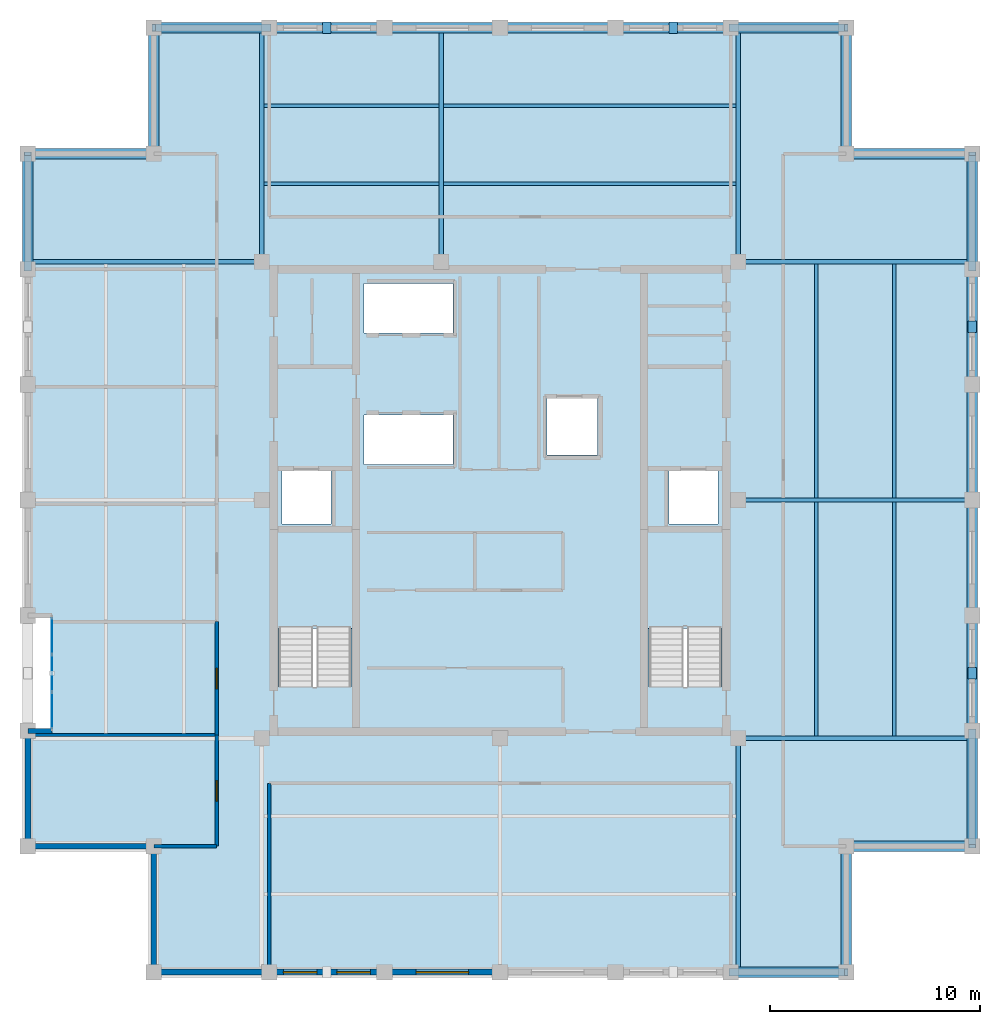
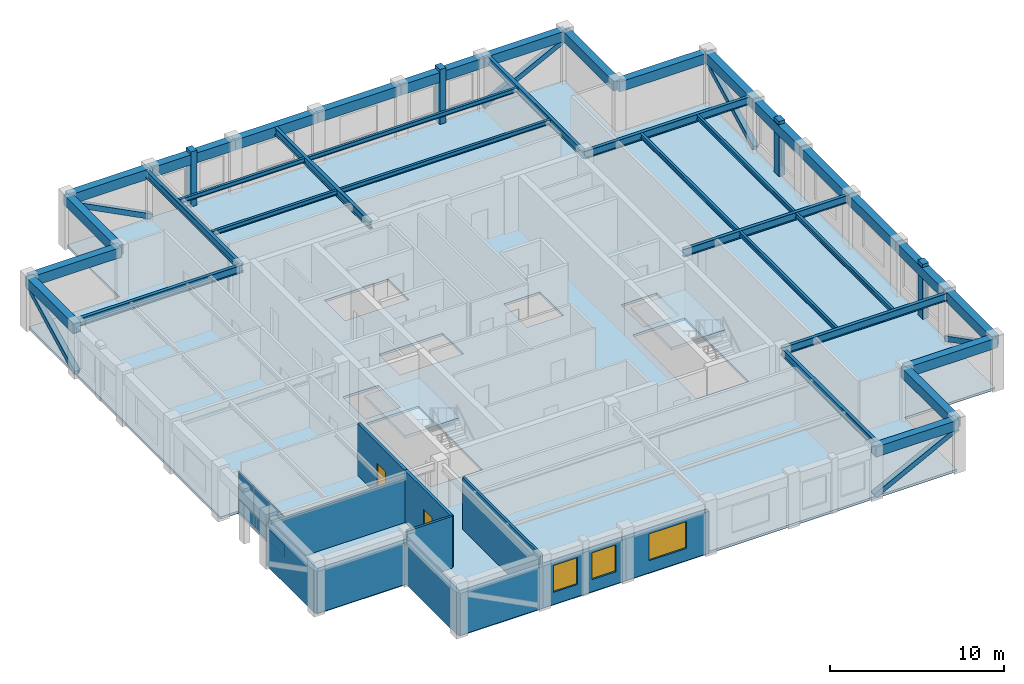
# One storey, part 5 of 10: 36 beams, 12 walls, 10 members, 6 plates, 3 slabs, 3 windows, 2 doors, 5 openings, 3 elements without a shape of their own.
"""IFC4 building model written with IfcOpenShell, lengths in metres."""

from ifc_helpers import new_model, si_unit, direction, frame, frame_2d, origin, origin_2d, place, context, subcontext, project, spatial, polyline, rectangle, hollow_rectangle, i_section, outline, extrude, material, layer, layer_set, material_profile, profile_set, type_object, element, fill, aggregate, save


model = new_model("IFC4")

# Units and contexts
model_context = context("Model", 3, precision=1e-05, world=origin(), true_north=direction((0.0, 1.0)))
body_context = subcontext(model_context, "Body", "Model", "MODEL_VIEW")
ifc_project = project(units=[si_unit("LENGTHUNIT", "METRE"), si_unit("AREAUNIT", "SQUARE_METRE"), si_unit("VOLUMEUNIT", "CUBIC_METRE"), si_unit("PLANEANGLEUNIT", "RADIAN"), si_unit("MASSUNIT", "GRAM", prefix="KILO")], contexts=[model_context])

# Site, building, storey
site_placement = place(None, origin())
site = spatial("IfcSite", under=ifc_project, at=site_placement, CompositionType="ELEMENT")
building_placement = place(site_placement, origin())
building = spatial("IfcBuilding", under=site, at=building_placement, Name="Nhamokura Convention Tower", CompositionType="ELEMENT")
storey_placement = place(building_placement, frame((0.0, 0.0, 304.5)))
storey = spatial("IfcBuildingStorey", under=building, at=storey_placement, Name="L75", CompositionType="ELEMENT", Elevation=304.5)

# Members
ifc_material_1 = material(Name="Bronze-pigmented precast concrete C45/55", Category="concrete")
ifc_material_profile_1 = material_profile(ifc_material_1, rectangle(XDim=0.39990234375, YDim=0.550048828125, at=origin_2d()))
ifc_profile_set_1 = profile_set([ifc_material_profile_1], Name="Bronze-pigmented precast concrete C45/55")
member_type_1 = type_object("IfcMemberType", Name="BronzePilaster_550", PredefinedType="USERDEFINED", material=ifc_profile_set_1)
for number, where, z_axis, x_axis, name in (
    (1, (23.75, 54.5, 0.0), (0.0, 0.0, 1.0), (1.0, 0.0, 0.0), "L75 Engaged Frame Pilaster NORTH 1"),
    (2, (40.25, 54.5, 0.0), (0.0, 0.0, 1.0), (1.0, 0.0, 0.0), "L75 Engaged Frame Pilaster NORTH 4"),
    (3, (54.5, 23.75, 0.0), (0.0, 0.0, 1.0), (1.0, 0.0, 0.0), "L75 Engaged Frame Pilaster EAST 1"),
    (4, (54.5, 40.25, 0.0), (0.0, 0.0, 1.0), (1.0, 0.0, 0.0), "L75 Engaged Frame Pilaster EAST 4"),
):
    element("IfcMember", number, at=place(storey_placement, frame(where, z_axis=z_axis, x_axis=x_axis)), inside=storey, type_object=member_type_1, Name=name, ObjectType="PILASTER_TRIM", PredefinedType="USERDEFINED", context=body_context, shape_type="SweptSolid", body=[
        extrude(rectangle(XDim=0.39990234375, YDim=0.550048828125, at=origin_2d()), origin(), (0.0, 0.0, 1.0), 3.85009765625),
    ])

# Beams
ifc_material_2 = material(Name="Steel ASTM A992 Gr 50", Category="steel")
ifc_material_profile_2 = material_profile(ifc_material_2, i_section(OverallWidth=0.166015625, OverallDepth=0.31298828125, WebThickness=0.006591796875, FlangeThickness=0.01123046875, at=origin_2d()))
ifc_profile_set_2 = profile_set([ifc_material_profile_2], Name="Steel ASTM A992 Gr 50")
beam_type_1 = type_object("IfcBeamType", Name="FloorJoist_W310X45", PredefinedType="JOIST", material=ifc_profile_set_2)
beam_1_placement = place(storey_placement, frame((20.75244140625, 47.066650390625, 3.473388671875), z_axis=(1.0, 0.0, 0.0), x_axis=(0.0, 1.0, 0.0)))
element("IfcBeam", 5, at=beam_1_placement, inside=storey, type_object=beam_type_1, Name="L75 Composite Floor Joist N1A", PredefinedType="JOIST", context=body_context, shape_type="SweptSolid", body=[
    extrude(i_section(OverallWidth=0.166015625, OverallDepth=0.31298828125, WebThickness=0.006591796875, FlangeThickness=0.01123046875, at=origin_2d()), origin(), (0.0, 0.0, 1.0), 8.344970703125),
])
beam_2_placement = place(storey_placement, frame((29.302490234375, 47.066650390625, 3.473388671875), z_axis=(1.0, 0.0, 0.0), x_axis=(0.0, 1.0, 0.0)))
element("IfcBeam", 6, at=beam_2_placement, inside=storey, type_object=beam_type_1, Name="L75 Composite Floor Joist N1B", PredefinedType="JOIST", context=body_context, shape_type="SweptSolid", body=[
    extrude(i_section(OverallWidth=0.166015625, OverallDepth=0.31298828125, WebThickness=0.006591796875, FlangeThickness=0.01123046875, at=origin_2d()), origin(), (0.0, 0.0, 1.0), 13.945068359375),
])
beam_3_placement = place(storey_placement, frame((20.75244140625, 50.783203125, 3.473388671875), z_axis=(1.0, 0.0, 0.0), x_axis=(0.0, 1.0, 0.0)))
element("IfcBeam", 7, at=beam_3_placement, inside=storey, type_object=beam_type_1, Name="L75 Composite Floor Joist N2A", PredefinedType="JOIST", context=body_context, shape_type="SweptSolid", body=[
    extrude(i_section(OverallWidth=0.166015625, OverallDepth=0.31298828125, WebThickness=0.006591796875, FlangeThickness=0.01123046875, at=origin_2d()), origin(), (0.0, 0.0, 1.0), 8.344970703125),
])
beam_4_placement = place(storey_placement, frame((29.302490234375, 50.783203125, 3.473388671875), z_axis=(1.0, 0.0, 0.0), x_axis=(0.0, 1.0, 0.0)))
element("IfcBeam", 8, at=beam_4_placement, inside=storey, type_object=beam_type_1, Name="L75 Composite Floor Joist N2B", PredefinedType="JOIST", context=body_context, shape_type="SweptSolid", body=[
    extrude(i_section(OverallWidth=0.166015625, OverallDepth=0.31298828125, WebThickness=0.006591796875, FlangeThickness=0.01123046875, at=origin_2d()), origin(), (0.0, 0.0, 1.0), 13.945068359375),
])
for number, where, z_axis, x_axis, name in (
    (9, (47.066650390625, 20.75244140625, 3.473388671875), (0.0, 1.0, 0.0), (-1.0, 0.0, 0.0), "L75 Composite Floor Joist E1A"),
    (10, (47.066650390625, 32.1025390625, 3.473388671875), (0.0, 1.0, 0.0), (-1.0, 0.0, 0.0), "L75 Composite Floor Joist E1B"),
    (11, (50.783203125, 20.75244140625, 3.473388671875), (0.0, 1.0, 0.0), (-1.0, 0.0, 0.0), "L75 Composite Floor Joist E2A"),
    (12, (50.783203125, 32.1025390625, 3.473388671875), (0.0, 1.0, 0.0), (-1.0, 0.0, 0.0), "L75 Composite Floor Joist E2B"),
):
    element("IfcBeam", number, at=place(storey_placement, frame(where, z_axis=z_axis, x_axis=x_axis)), inside=storey, type_object=beam_type_1, Name=name, PredefinedType="JOIST", context=body_context, shape_type="SweptSolid", body=[
        extrude(i_section(OverallWidth=0.166015625, OverallDepth=0.31298828125, WebThickness=0.006591796875, FlangeThickness=0.01123046875, at=origin_2d()), origin(), (0.0, 0.0, 1.0), 11.14501953125),
    ])
ifc_material_3 = material(Name="Steel ASTM A992 Gr 50", Category="steel")
ifc_material_profile_3 = material_profile(ifc_material_3, i_section(OverallWidth=0.208984375, OverallDepth=0.532958984375, WebThickness=0.01025390625, FlangeThickness=0.015625, at=origin_2d()))
ifc_profile_set_3 = profile_set([ifc_material_profile_3], Name="Steel ASTM A992 Gr 50")
beam_type_2 = type_object("IfcBeamType", Name="PrimaryGirder_W530X92", PredefinedType="BEAM", material=ifc_profile_set_3)
for number, where, z_axis, x_axis, name in (
    (13, (43.35009765625, 9.5, 3.363525390625), (0.0, 1.0, 0.0), (-1.0, 0.0, 0.0), "L75 Primary Floor Girder PG-S3"),
    (14, (20.64990234375, 43.35009765625, 3.363525390625), (0.0, 1.0, 0.0), (-1.0, 0.0, 0.0), "L75 Primary Floor Girder PG-N1"),
    (15, (29.199951171875, 43.35009765625, 3.363525390625), (0.0, 1.0, 0.0), (-1.0, 0.0, 0.0), "L75 Primary Floor Girder PG-N2"),
    (16, (43.35009765625, 43.35009765625, 3.363525390625), (0.0, 1.0, 0.0), (-1.0, 0.0, 0.0), "L75 Primary Floor Girder PG-N3"),
    (17, (9.5, 43.35009765625, 3.363525390625), (1.0, 0.0, 0.0), (0.0, 1.0, 0.0), "L75 Primary Floor Girder PG-W3"),
    (18, (43.35009765625, 20.64990234375, 3.363525390625), (1.0, 0.0, 0.0), (0.0, 1.0, 0.0), "L75 Primary Floor Girder PG-E1"),
    (19, (43.35009765625, 32.0, 3.363525390625), (1.0, 0.0, 0.0), (0.0, 1.0, 0.0), "L75 Primary Floor Girder PG-E2"),
    (20, (43.35009765625, 43.35009765625, 3.363525390625), (1.0, 0.0, 0.0), (0.0, 1.0, 0.0), "L75 Primary Floor Girder PG-E3"),
):
    element("IfcBeam", number, at=place(storey_placement, frame(where, z_axis=z_axis, x_axis=x_axis)), inside=storey, type_object=beam_type_2, Name=name, PredefinedType="BEAM", context=body_context, shape_type="SweptSolid", body=[
        extrude(i_section(OverallWidth=0.208984375, OverallDepth=0.532958984375, WebThickness=0.01025390625, FlangeThickness=0.015625, at=origin_2d()), origin(), (0.0, 0.0, 1.0), 11.14990234375),
    ])

# Members
ifc_material_4 = material(Name="Steel ASTM A572 Gr 50", Category="steel")
ifc_material_profile_4 = material_profile(ifc_material_4, hollow_rectangle(XDim=0.35009765625, YDim=0.35009765625, WallThickness=0.01611328125, at=origin_2d()))
ifc_profile_set_4 = profile_set([ifc_material_profile_4], Name="Steel ASTM A572 Gr 50")
member_type_2 = type_object("IfcMemberType", Name="TubeBrace_HSS350", PredefinedType="BRACE", material=ifc_profile_set_4)
for number, where, z_axis, x_axis, name in (
    (21, (43.0, 9.5, 0.14990234375), (0.889188710546, 0.0, 0.457540639766), (0.0, 1.0, 0.0), "L75 Perimeter Tube Brace SOUTH Bay 5"),
    (22, (21.0, 54.5, 0.14990234375), (-0.889188710546, 0.0, 0.457540639766), (0.0, -1.0, 0.0), "L75 Perimeter Tube Brace NORTH Bay 0"),
    (23, (43.0, 54.5, 0.14990234375), (0.889188710546, 0.0, 0.457540639766), (0.0, 1.0, 0.0), "L75 Perimeter Tube Brace NORTH Bay 5"),
    (24, (9.5, 43.0, 0.14990234375), (0.0, 0.889188710546, 0.457540639766), (-1.0, 0.0, 0.0), "L75 Perimeter Tube Brace WEST Bay 5"),
    (25, (54.5, 21.0, 0.14990234375), (0.0, -0.889188710546, 0.457540639766), (1.0, 0.0, 0.0), "L75 Perimeter Tube Brace EAST Bay 0"),
    (26, (54.5, 43.0, 0.14990234375), (0.0, 0.889188710546, 0.457540639766), (-1.0, 0.0, 0.0), "L75 Perimeter Tube Brace EAST Bay 5"),
):
    element("IfcMember", number, at=place(storey_placement, frame(where, z_axis=z_axis, x_axis=x_axis)), inside=storey, type_object=member_type_2, Name=name, PredefinedType="BRACE", context=body_context, shape_type="SweptSolid", body=[
        extrude(hollow_rectangle(XDim=0.35009765625, YDim=0.35009765625, WallThickness=0.01611328125, at=origin_2d()), origin(), (0.0, 0.0, 1.0), 6.185302734375),
    ])

# Beams
ifc_material_5 = material(Name="Concrete C50/60", Category="concrete")
ifc_material_profile_5 = material_profile(ifc_material_5, rectangle(XDim=0.5, YDim=0.699951171875, at=origin_2d()))
ifc_profile_set_5 = profile_set([ifc_material_profile_5], Name="Concrete C50/60")
beam_type_3 = type_object("IfcBeamType", Name="TubeSpandrel_700", PredefinedType="SPANDREL", material=ifc_profile_set_5)
for number, where, z_axis, x_axis, name in (
    (27, (43.0, 9.5, 3.280029296875), (1.0, 0.0, 0.0), (0.0, 1.0, 0.0), "L75 Perimeter Spandrel SOUTH 6"),
    (28, (15.5, 54.5, 3.280029296875), (1.0, 0.0, 0.0), (0.0, 1.0, 0.0), "L75 Perimeter Spandrel NORTH 1"),
    (29, (21.0, 54.5, 3.280029296875), (1.0, 0.0, 0.0), (0.0, 1.0, 0.0), "L75 Perimeter Spandrel NORTH 2"),
    (30, (26.5, 54.5, 3.280029296875), (1.0, 0.0, 0.0), (0.0, 1.0, 0.0), "L75 Perimeter Spandrel NORTH 3"),
    (31, (32.0, 54.5, 3.280029296875), (1.0, 0.0, 0.0), (0.0, 1.0, 0.0), "L75 Perimeter Spandrel NORTH 4"),
    (32, (37.5, 54.5, 3.280029296875), (1.0, 0.0, 0.0), (0.0, 1.0, 0.0), "L75 Perimeter Spandrel NORTH 5"),
    (33, (43.0, 54.5, 3.280029296875), (1.0, 0.0, 0.0), (0.0, 1.0, 0.0), "L75 Perimeter Spandrel NORTH 6"),
    (34, (9.5, 43.0, 3.280029296875), (0.0, 1.0, 0.0), (-1.0, 0.0, 0.0), "L75 Perimeter Spandrel WEST 6"),
    (35, (54.5, 15.5, 3.280029296875), (0.0, 1.0, 0.0), (-1.0, 0.0, 0.0), "L75 Perimeter Spandrel EAST 1"),
    (36, (54.5, 21.0, 3.280029296875), (0.0, 1.0, 0.0), (-1.0, 0.0, 0.0), "L75 Perimeter Spandrel EAST 2"),
    (37, (54.5, 26.5, 3.280029296875), (0.0, 1.0, 0.0), (-1.0, 0.0, 0.0), "L75 Perimeter Spandrel EAST 3"),
    (38, (54.5, 32.0, 3.280029296875), (0.0, 1.0, 0.0), (-1.0, 0.0, 0.0), "L75 Perimeter Spandrel EAST 4"),
    (39, (54.5, 37.5, 3.280029296875), (0.0, 1.0, 0.0), (-1.0, 0.0, 0.0), "L75 Perimeter Spandrel EAST 5"),
    (40, (54.5, 43.0, 3.280029296875), (0.0, 1.0, 0.0), (-1.0, 0.0, 0.0), "L75 Perimeter Spandrel EAST 6"),
):
    element("IfcBeam", number, at=place(storey_placement, frame(where, z_axis=z_axis, x_axis=x_axis)), inside=storey, type_object=beam_type_3, Name=name, PredefinedType="SPANDREL", context=body_context, shape_type="SweptSolid", body=[
        extrude(rectangle(XDim=0.5, YDim=0.699951171875, at=origin_2d()), origin(), (0.0, 0.0, 1.0), 5.5),
    ])
for number, where, z_axis, x_axis, name in (
    (41, (48.5, 9.5, 3.280029296875), (0.0, 1.0, 0.0), (-1.0, 0.0, 0.0), "L75 Notch Spandrel SE1"),
    (42, (48.5, 15.5, 3.280029296875), (1.0, 0.0, 0.0), (0.0, 1.0, 0.0), "L75 Notch Spandrel SE2"),
    (43, (54.5, 48.5, 3.280029296875), (-1.0, 0.0, 0.0), (0.0, -1.0, 0.0), "L75 Notch Spandrel NE1"),
    (44, (48.5, 48.5, 3.280029296875), (0.0, 1.0, 0.0), (-1.0, 0.0, 0.0), "L75 Notch Spandrel NE2"),
    (45, (15.5, 54.5, 3.280029296875), (0.0, -1.0, 0.0), (1.0, 0.0, 0.0), "L75 Notch Spandrel NW1"),
    (46, (15.5, 48.5, 3.280029296875), (-1.0, 0.0, 0.0), (0.0, -1.0, 0.0), "L75 Notch Spandrel NW2"),
):
    element("IfcBeam", number, at=place(storey_placement, frame(where, z_axis=z_axis, x_axis=x_axis)), inside=storey, type_object=beam_type_3, Name=name, PredefinedType="SPANDREL", context=body_context, shape_type="SweptSolid", body=[
        extrude(rectangle(XDim=0.5, YDim=0.699951171875, at=origin_2d()), origin(), (0.0, 0.0, 1.0), 6.0),
    ])

# Curtain wall, plates
ifc_material_6 = material(Name="Anodised bronze aluminium AA6063-T6", Category="aluminium")
ifc_layer_1 = layer(ifc_material_6, 0.155029296875)
ifc_layer_set_1 = layer_set([ifc_layer_1], Name="CWSystem_ScaleSlot_Zone3")
curtain_wall_type = type_object("IfcCurtainWallType", Name="CWSystem_ScaleSlot_Zone3", PredefinedType="NOTDEFINED", material=ifc_layer_set_1)
curtain_wall_placement = place(storey_placement, origin())
curtain_wall = element("IfcCurtainWall", 47, at=curtain_wall_placement, inside=storey, type_object=curtain_wall_type, Name="L75 Curtain Wall ENV-L75-SLOT-W1", PredefinedType="NOTDEFINED")
ifc_material_7 = material(Name="Solar-control bronze low-E double glass", Category="glass")
ifc_layer_2 = layer(ifc_material_7, 0.0400390625)
ifc_layer_set_2 = layer_set([ifc_layer_2], Name="CWGlazedPanel_3")
plate_type = type_object("IfcPlateType", Name="CWGlazedPanel_3", PredefinedType="CURTAIN_PANEL", material=ifc_layer_set_2)
plate_1_placement = place(storey_placement, frame((10.64990234375, 21.972900390625, 0.06494140625), z_axis=(0.0, 0.0, 1.0), x_axis=(0.0, 1.0, 0.0)))
plate_1 = element("IfcPlate", 48, at=plate_1_placement, type_object=plate_type, Name="CW-05 panel 1.1", PredefinedType="CURTAIN_PANEL", context=body_context, shape_type="SweptSolid", body=[
    extrude(rectangle(XDim=1.69580078125, YDim=0.0400390625, at=origin_2d()), origin(), (0.0, 0.0, 1.0), 0.8525390625),
])
plate_2_placement = place(storey_placement, frame((10.64990234375, 21.972900390625, 0.982421875), z_axis=(0.0, 0.0, 1.0), x_axis=(0.0, 1.0, 0.0)))
plate_2 = element("IfcPlate", 49, at=plate_2_placement, type_object=plate_type, Name="CW-05 panel 1.2", PredefinedType="CURTAIN_PANEL", context=body_context, shape_type="SweptSolid", body=[
    extrude(rectangle(XDim=1.69580078125, YDim=0.0400390625, at=origin_2d()), origin(), (0.0, 0.0, 1.0), 1.882568359375),
])
plate_3_placement = place(storey_placement, frame((10.64990234375, 23.75, 0.06494140625), z_axis=(0.0, 0.0, 1.0), x_axis=(0.0, 1.0, 0.0)))
plate_3 = element("IfcPlate", 50, at=plate_3_placement, type_object=plate_type, Name="CW-05 panel 2.1", PredefinedType="CURTAIN_PANEL", context=body_context, shape_type="SweptSolid", body=[
    extrude(rectangle(XDim=1.728271484375, YDim=0.0400390625, at=origin_2d()), origin(), (0.0, 0.0, 1.0), 0.8525390625),
])
plate_4_placement = place(storey_placement, frame((10.64990234375, 23.75, 0.982421875), z_axis=(0.0, 0.0, 1.0), x_axis=(0.0, 1.0, 0.0)))
plate_4 = element("IfcPlate", 51, at=plate_4_placement, type_object=plate_type, Name="CW-05 panel 2.2", PredefinedType="CURTAIN_PANEL", context=body_context, shape_type="SweptSolid", body=[
    extrude(rectangle(XDim=1.728271484375, YDim=0.0400390625, at=origin_2d()), origin(), (0.0, 0.0, 1.0), 1.882568359375),
])
plate_5_placement = place(storey_placement, frame((10.64990234375, 25.527099609375, 0.06494140625), z_axis=(0.0, 0.0, 1.0), x_axis=(0.0, 1.0, 0.0)))
plate_5 = element("IfcPlate", 52, at=plate_5_placement, type_object=plate_type, Name="CW-05 panel 3.1", PredefinedType="CURTAIN_PANEL", context=body_context, shape_type="SweptSolid", body=[
    extrude(rectangle(XDim=1.69580078125, YDim=0.0400390625, at=origin_2d()), origin(), (0.0, 0.0, 1.0), 0.8525390625),
])
plate_6_placement = place(storey_placement, frame((10.64990234375, 25.527099609375, 0.982421875), z_axis=(0.0, 0.0, 1.0), x_axis=(0.0, 1.0, 0.0)))
plate_6 = element("IfcPlate", 53, at=plate_6_placement, type_object=plate_type, Name="CW-05 panel 3.2", PredefinedType="CURTAIN_PANEL", context=body_context, shape_type="SweptSolid", body=[
    extrude(rectangle(XDim=1.69580078125, YDim=0.0400390625, at=origin_2d()), origin(), (0.0, 0.0, 1.0), 1.882568359375),
])
aggregate(curtain_wall, [plate_1, plate_2, plate_3, plate_4, plate_5, plate_6])

# Slab
ifc_material_8 = material(Name="Concrete C40/50", Category="concrete")
ifc_layer_3 = layer(ifc_material_8, 0.1650390625)
ifc_layer_set_3 = layer_set([ifc_layer_3], Name="OfficeFloorSlab_165")
slab_type_1 = type_object("IfcSlabType", Name="OfficeFloorSlab_165", PredefinedType="FLOOR", material=ifc_layer_set_3)
slab_1_placement = place(storey_placement, frame((0.0, 0.0, -0.1650390625)))
element("IfcSlab", 54, at=slab_1_placement, inside=storey, type_object=slab_type_1, Name="L75 Structural Floor Slab", PredefinedType="FLOOR", context=body_context, shape_type="SweptSolid", body=[
    extrude(outline(polyline([(15.5, 9.5), (48.5, 9.5), (48.5, 15.5), (54.5, 15.5), (54.5, 48.5), (48.5, 48.5), (48.5, 54.5), (15.5, 54.5), (15.5, 48.5), (9.5, 48.5), (9.5, 26.5), (10.64990234375, 26.5), (10.64990234375, 21.0), (9.5, 21.0), (9.5, 15.5), (15.5, 15.5), (15.5, 9.5)]), holes=[polyline([(24.89990234375, 23.10009765625), (24.89990234375, 30.449951171875), (21.449951171875, 30.449951171875), (21.449951171875, 23.10009765625), (24.89990234375, 23.10009765625)]), polyline([(42.550048828125, 23.10009765625), (42.550048828125, 30.449951171875), (39.10009765625, 30.449951171875), (39.10009765625, 23.10009765625), (42.550048828125, 23.10009765625)]), polyline([(21.60009765625, 30.85009765625), (23.949951171875, 30.85009765625), (23.949951171875, 33.39990234375), (21.60009765625, 33.39990234375), (21.60009765625, 30.85009765625)]), polyline([(40.050048828125, 30.85009765625), (42.39990234375, 30.85009765625), (42.39990234375, 33.39990234375), (40.050048828125, 33.39990234375), (40.050048828125, 30.85009765625)]), polyline([(34.25, 34.14990234375), (36.64990234375, 34.14990234375), (36.64990234375, 36.85009765625), (34.25, 36.85009765625), (34.25, 34.14990234375)]), polyline([(25.52001953125, 33.679931640625), (29.75, 33.679931640625), (29.75, 36.050048828125), (25.52001953125, 36.050048828125), (25.52001953125, 33.679931640625)]), polyline([(25.52001953125, 39.949951171875), (29.75, 39.949951171875), (29.75, 42.320068359375), (25.52001953125, 42.320068359375), (25.52001953125, 39.949951171875)])]), origin(), (0.0, 0.0, 1.0), 0.1650390625),
])

# Stair, slab
ifc_material_9 = material(Name="Concrete C40/50", Category="concrete")
stair_type = type_object("IfcStairType", Name="TowerCoreStair_1650", PredefinedType="HALF_TURN_STAIR", material=ifc_material_9)
stair_1_placement = place(storey_placement, origin())
stair_1 = element("IfcStair", 55, at=stair_1_placement, inside=storey, type_object=stair_type, Name="L75 West Core Smokeproof Stair ST-01", PredefinedType="HALF_TURN_STAIR")
ifc_material_10 = material(Name="Concrete C40/50", Category="concrete")
ifc_layer_4 = layer(ifc_material_10, 0.199951171875)
ifc_layer_set_4 = layer_set([ifc_layer_4], Name="StairLandingSlab_200")
slab_type_2 = type_object("IfcSlabType", Name="StairLandingSlab_200", PredefinedType="LANDING", material=ifc_layer_set_4)
slab_2_placement = place(storey_placement, frame((0.0, 0.0, 1.72509765625)))
slab_2 = element("IfcSlab", 56, at=slab_2_placement, type_object=slab_type_2, Name="ST-01 landing 1", PredefinedType="LANDING", context=body_context, shape_type="SweptSolid", body=[
    extrude(outline(polyline([(24.97998046875, 25.8701171875), (24.97998046875, 30.530029296875), (21.3701171875, 30.530029296875), (21.3701171875, 25.8701171875), (24.97998046875, 25.8701171875)])), origin(), (0.0, 0.0, 1.0), 0.199951171875),
])
aggregate(stair_1, [slab_2])

stair_2_placement = place(storey_placement, origin())
stair_2 = element("IfcStair", 57, at=stair_2_placement, inside=storey, type_object=stair_type, Name="L75 East Core Smokeproof Stair ST-02", PredefinedType="HALF_TURN_STAIR")
slab_3_placement = place(storey_placement, frame((0.0, 0.0, 1.72509765625)))
slab_3 = element("IfcSlab", 58, at=slab_3_placement, type_object=slab_type_2, Name="ST-02 landing 1", PredefinedType="LANDING", context=body_context, shape_type="SweptSolid", body=[
    extrude(outline(polyline([(42.6298828125, 25.8701171875), (42.6298828125, 30.530029296875), (39.02001953125, 30.530029296875), (39.02001953125, 25.8701171875), (42.6298828125, 25.8701171875)])), origin(), (0.0, 0.0, 1.0), 0.199951171875),
])
aggregate(stair_2, [slab_3])

# Wall
ifc_material_11 = material(Name="Bronze-pigmented precast concrete C45/55", Category="concrete")
ifc_layer_5 = layer(ifc_material_11, 0.280029296875)
ifc_layer_set_5 = layer_set([ifc_layer_5], Name="BronzePrecastSpandrel_280")
wall_type_1 = type_object("IfcWallType", Name="BronzePrecastSpandrel_280", PredefinedType="USERDEFINED", material=ifc_layer_set_5)
wall_1_placement = place(storey_placement, frame((21.0, 9.5, 0.0), z_axis=(0.0, 0.0, 1.0), x_axis=(-1.0, 0.0, 0.0)))
element("IfcWall", 59, at=wall_1_placement, inside=storey, type_object=wall_type_1, Name="L75 Braced-Bay Precast Wall SOUTH 0", ObjectType="SPANDREL_WALL", PredefinedType="USERDEFINED", context=body_context, shape_type="SweptSolid", body=[
    extrude(rectangle(XDim=5.5, YDim=0.280029296875, at=frame_2d((2.75, 0.0))), origin(), (0.0, 0.0, 1.0), 2.929931640625),
])

# Wall, openings, windows
wall_2_placement = place(storey_placement, frame((26.5, 9.5, 0.0), z_axis=(0.0, 0.0, 1.0), x_axis=(-1.0, 0.0, 0.0)))
wall_2 = element("IfcWall", 60, at=wall_2_placement, inside=storey, type_object=wall_type_1, Name="L75 Masonry-Frame Wall SOUTH 1", ObjectType="SPANDREL_WALL", PredefinedType="USERDEFINED", context=body_context, shape_type="SweptSolid", body=[
    extrude(rectangle(XDim=5.5, YDim=0.280029296875, at=frame_2d((2.75, 0.0))), origin(), (0.0, 0.0, 1.0), 2.929931640625),
])
opening_1_placement = place(wall_2_placement, frame((0.675048828125, 0.0, 0.85009765625)))
opening_1 = element("IfcOpeningElement", 61, at=opening_1_placement, cuts=wall_2, Name="Opening W-11", PredefinedType="OPENING", context=body_context, shape_type="SweptSolid", body=[
    extrude(rectangle(XDim=1.60009765625, YDim=1.8798828125, at=frame_2d((0.800048828125, 0.93994140625))), frame((0.0, 0.14990234375, 0.0), z_axis=(0.0, -1.0, 0.0), x_axis=(1.0, 0.0, 0.0)), (0.0, 0.0, 1.0), 0.300048828125),
])
opening_2_placement = place(wall_2_placement, frame((3.22509765625, 0.0, 0.85009765625)))
opening_2 = element("IfcOpeningElement", 62, at=opening_2_placement, cuts=wall_2, Name="Opening W-11", PredefinedType="OPENING", context=body_context, shape_type="SweptSolid", body=[
    extrude(rectangle(XDim=1.60009765625, YDim=1.8798828125, at=frame_2d((0.800048828125, 0.93994140625))), frame((0.0, 0.14990234375, 0.0), z_axis=(0.0, -1.0, 0.0), x_axis=(1.0, 0.0, 0.0)), (0.0, 0.0, 1.0), 0.300048828125),
])
ifc_material_12 = material(Name="Solar-control bronze low-E double glass", Category="glass")
window_type_1 = type_object("IfcWindowType", Name="NotchCornerWindow_1600", PartitioningType="SINGLE_PANEL", PredefinedType="WINDOW", material=ifc_material_12)
window_1_placement = place(opening_1_placement, origin())
window_1 = element("IfcWindow", 63, at=window_1_placement, inside=storey, type_object=window_type_1, Name="L75 Facade Window SOUTH 1-1", OverallHeight=1.8798828125, OverallWidth=1.60009765625, PartitioningType="SINGLE_PANEL", PredefinedType="WINDOW", context=body_context, shape_type="SweptSolid", body=[
    extrude(rectangle(XDim=1.60009765625, YDim=1.8798828125, at=frame_2d((0.800048828125, 0.93994140625))), frame((0.0, 0.030029296875, 0.0), z_axis=(0.0, -1.0, 0.0), x_axis=(1.0, 0.0, 0.0)), (0.0, 0.0, 1.0), 0.06005859375),
])
fill(opening_1, window_1)
window_2_placement = place(opening_2_placement, origin())
window_2 = element("IfcWindow", 64, at=window_2_placement, inside=storey, type_object=window_type_1, Name="L75 Facade Window SOUTH 1-2", OverallHeight=1.8798828125, OverallWidth=1.60009765625, PartitioningType="SINGLE_PANEL", PredefinedType="WINDOW", context=body_context, shape_type="SweptSolid", body=[
    extrude(rectangle(XDim=1.60009765625, YDim=1.8798828125, at=frame_2d((0.800048828125, 0.93994140625))), frame((0.0, 0.030029296875, 0.0), z_axis=(0.0, -1.0, 0.0), x_axis=(1.0, 0.0, 0.0)), (0.0, 0.0, 1.0), 0.06005859375),
])
fill(opening_2, window_2)

# Wall, opening, window
wall_3_placement = place(storey_placement, frame((32.0, 9.5, 0.0), z_axis=(0.0, 0.0, 1.0), x_axis=(-1.0, 0.0, 0.0)))
wall_3 = element("IfcWall", 65, at=wall_3_placement, inside=storey, type_object=wall_type_1, Name="L75 Masonry-Frame Wall SOUTH 2", ObjectType="SPANDREL_WALL", PredefinedType="USERDEFINED", context=body_context, shape_type="SweptSolid", body=[
    extrude(rectangle(XDim=5.5, YDim=0.280029296875, at=frame_2d((2.75, 0.0))), origin(), (0.0, 0.0, 1.0), 2.929931640625),
])
opening_3_placement = place(wall_3_placement, frame((1.5, 0.0, 0.85009765625)))
opening_3 = element("IfcOpeningElement", 66, at=opening_3_placement, cuts=wall_3, Name="Opening W-09", PredefinedType="OPENING", context=body_context, shape_type="SweptSolid", body=[
    extrude(rectangle(XDim=2.5, YDim=1.8798828125, at=frame_2d((1.25, 0.93994140625))), frame((0.0, 0.14990234375, 0.0), z_axis=(0.0, -1.0, 0.0), x_axis=(1.0, 0.0, 0.0)), (0.0, 0.0, 1.0), 0.300048828125),
])
ifc_material_13 = material(Name="Solar-control bronze low-E double glass", Category="glass")
window_type_2 = type_object("IfcWindowType", Name="SummitWindow_Z4_2500", PartitioningType="DOUBLE_PANEL_VERTICAL", PredefinedType="WINDOW", material=ifc_material_13)
window_3_placement = place(opening_3_placement, origin())
window_3 = element("IfcWindow", 67, at=window_3_placement, inside=storey, type_object=window_type_2, Name="L75 Facade Window SOUTH 2", OverallHeight=1.8798828125, OverallWidth=2.5, PartitioningType="SINGLE_PANEL", PredefinedType="WINDOW", context=body_context, shape_type="SweptSolid", body=[
    extrude(rectangle(XDim=2.5, YDim=1.8798828125, at=frame_2d((1.25, 0.93994140625))), frame((0.0, 0.030029296875, 0.0), z_axis=(0.0, -1.0, 0.0), x_axis=(1.0, 0.0, 0.0)), (0.0, 0.0, 1.0), 0.06005859375),
])
fill(opening_3, window_3)

# Walls
wall_4_placement = place(storey_placement, frame((9.5, 21.0, 0.0), z_axis=(0.0, 0.0, 1.0), x_axis=(1.0, 0.0, 0.0)))
element("IfcWall", 68, at=wall_4_placement, inside=storey, type_object=wall_type_1, Name="L75 Scale Slot Cheek Wall WESTA", ObjectType="SPANDREL_WALL", PredefinedType="USERDEFINED", context=body_context, shape_type="SweptSolid", body=[
    extrude(rectangle(XDim=1.14990234375, YDim=0.239990234375, at=frame_2d((0.574951171875, 0.0))), origin(), (0.0, 0.0, 1.0), 2.929931640625),
])
wall_5_placement = place(storey_placement, frame((9.5, 15.5, 0.0), z_axis=(0.0, 0.0, 1.0), x_axis=(0.0, 1.0, 0.0)))
element("IfcWall", 69, at=wall_5_placement, inside=storey, type_object=wall_type_1, Name="L75 Braced-Bay Precast Wall WEST 0", ObjectType="SPANDREL_WALL", PredefinedType="USERDEFINED", context=body_context, shape_type="SweptSolid", body=[
    extrude(rectangle(XDim=5.5, YDim=0.280029296875, at=frame_2d((2.75, 0.0))), origin(), (0.0, 0.0, 1.0), 2.929931640625),
])
for number, where, z_axis, x_axis, name in (
    (70, (15.5, 9.5, 0.0), (0.0, 0.0, 1.0), (0.0, 1.0, 0.0), "L75 Notched Corner Wall SW1"),
    (71, (15.5, 15.5, 0.0), (0.0, 0.0, 1.0), (-1.0, 0.0, 0.0), "L75 Notched Corner Wall SW2"),
):
    element("IfcWall", number, at=place(storey_placement, frame(where, z_axis=z_axis, x_axis=x_axis)), inside=storey, type_object=wall_type_1, Name=name, ObjectType="SPANDREL_WALL", PredefinedType="USERDEFINED", context=body_context, shape_type="SweptSolid", body=[
        extrude(rectangle(XDim=6.0, YDim=0.280029296875, at=frame_2d((3.0, 0.0))), origin(), (0.0, 0.0, 1.0), 2.929931640625),
    ])

# Wall, opening, door
ifc_material_14 = material(Name="Fire-rated gypsum and masonry partition", Category="masonry")
ifc_layer_6 = layer(ifc_material_14, 0.179931640625)
ifc_layer_set_6 = layer_set([ifc_layer_6], Name="CorridorRatedWall_180")
wall_type_2 = type_object("IfcWallType", Name="CorridorRatedWall_180", PredefinedType="STANDARD", material=ifc_layer_set_6)
wall_6_placement = place(storey_placement, frame((18.5, 15.5, 0.0), z_axis=(0.0, 0.0, 1.0), x_axis=(0.0, 1.0, 0.0)))
wall_6 = element("IfcWall", 72, at=wall_6_placement, inside=storey, type_object=wall_type_2, Name="L75 Wall INT-L75-CW-W00", PredefinedType="STANDARD", context=body_context, shape_type="SweptSolid", body=[
    extrude(rectangle(XDim=5.300048828125, YDim=0.179931640625, at=frame_2d((2.64990234375, 0.0))), origin(), (0.0, 0.0, 1.0), 3.6298828125),
])
opening_4_placement = place(wall_6_placement, frame((2.14990234375, 0.0, 0.0)))
opening_4 = element("IfcOpeningElement", 73, at=opening_4_placement, cuts=wall_6, Name="Opening D-08", PredefinedType="OPENING", context=body_context, shape_type="SweptSolid", body=[
    extrude(rectangle(XDim=0.97998046875, YDim=2.199951171875, at=frame_2d((0.489990234375, 1.10009765625))), frame((0.0, 0.099853515625, 0.0), z_axis=(0.0, -1.0, 0.0), x_axis=(1.0, 0.0, 0.0)), (0.0, 0.0, 1.0), 0.199951171875),
])
ifc_material_15 = material(Name="Solid oak hardwood", Category="wood")
door_type = type_object("IfcDoorType", Name="OfficeEntryDoor_980", OperationType="NOTDEFINED", PredefinedType="DOOR", material=ifc_material_15)
door_1_placement = place(opening_4_placement, origin())
door_1 = element("IfcDoor", 74, at=door_1_placement, inside=storey, type_object=door_type, Name="L75 Data Laboratory W01 Door", OperationType="SINGLE_SWING_LEFT", OverallHeight=2.199951171875, OverallWidth=0.97998046875, PredefinedType="DOOR", context=body_context, shape_type="SweptSolid", body=[
    extrude(rectangle(XDim=0.97998046875, YDim=2.199951171875, at=frame_2d((0.489990234375, 1.10009765625))), frame((0.0, 0.02490234375, 0.0), z_axis=(0.0, -1.0, 0.0), x_axis=(1.0, 0.0, 0.0)), (0.0, 0.0, 1.0), 0.050048828125),
])
fill(opening_4, door_1)

wall_7_placement = place(storey_placement, frame((18.5, 20.800048828125, 0.0), z_axis=(0.0, 0.0, 1.0), x_axis=(0.0, 1.0, 0.0)))
wall_7 = element("IfcWall", 75, at=wall_7_placement, inside=storey, type_object=wall_type_2, Name="L75 Wall INT-L75-CW-W01", PredefinedType="STANDARD", context=body_context, shape_type="SweptSolid", body=[
    extrude(rectangle(XDim=5.39990234375, YDim=0.179931640625, at=frame_2d((2.699951171875, 0.0))), origin(), (0.0, 0.0, 1.0), 3.6298828125),
])
opening_5_placement = place(wall_7_placement, frame((2.199951171875, 0.0, 0.0)))
opening_5 = element("IfcOpeningElement", 76, at=opening_5_placement, cuts=wall_7, Name="Opening D-08", PredefinedType="OPENING", context=body_context, shape_type="SweptSolid", body=[
    extrude(rectangle(XDim=0.97998046875, YDim=2.199951171875, at=frame_2d((0.489990234375, 1.10009765625))), frame((0.0, 0.099853515625, 0.0), z_axis=(0.0, -1.0, 0.0), x_axis=(1.0, 0.0, 0.0)), (0.0, 0.0, 1.0), 0.199951171875),
])
door_2_placement = place(opening_5_placement, origin())
door_2 = element("IfcDoor", 77, at=door_2_placement, inside=storey, type_object=door_type, Name="L75 Medical Clinic W02 Door", OperationType="SINGLE_SWING_RIGHT", OverallHeight=2.199951171875, OverallWidth=0.97998046875, PredefinedType="DOOR", context=body_context, shape_type="SweptSolid", body=[
    extrude(rectangle(XDim=0.97998046875, YDim=2.199951171875, at=frame_2d((0.489990234375, 1.10009765625))), frame((0.0, 0.02490234375, 0.0), z_axis=(0.0, -1.0, 0.0), x_axis=(1.0, 0.0, 0.0)), (0.0, 0.0, 1.0), 0.050048828125),
])
fill(opening_5, door_2)

# Walls
ifc_material_16 = material(Name="Acoustic gypsum stud partition", Category="masonry")
ifc_layer_7 = layer(ifc_material_16, 0.14990234375)
ifc_layer_set_7 = layer_set([ifc_layer_7], Name="InteriorPartition_150")
wall_type_3 = type_object("IfcWallType", Name="InteriorPartition_150", PredefinedType="STANDARD", material=ifc_layer_set_7)
wall_8_placement = place(storey_placement, frame((21.0, 9.56005859375, 0.0), z_axis=(0.0, 0.0, 1.0), x_axis=(0.0, 1.0, 0.0)))
element("IfcWall", 78, at=wall_8_placement, inside=storey, type_object=wall_type_3, Name="L75 Wall INT-L75-RWL-S", PredefinedType="STANDARD", context=body_context, shape_type="SweptSolid", body=[
    extrude(rectangle(XDim=8.93994140625, YDim=0.14990234375, at=frame_2d((4.469970703125, 0.0))), origin(), (0.0, 0.0, 1.0), 3.6298828125),
])
wall_9_placement = place(storey_placement, frame((9.56005859375, 20.800048828125, 0.0), z_axis=(0.0, 0.0, 1.0), x_axis=(1.0, 0.0, 0.0)))
element("IfcWall", 79, at=wall_9_placement, inside=storey, type_object=wall_type_3, Name="L75 Wall INT-L75-RW-W01", PredefinedType="STANDARD", context=body_context, shape_type="SweptSolid", body=[
    extrude(rectangle(XDim=8.93994140625, YDim=0.14990234375, at=frame_2d((4.469970703125, 0.0))), origin(), (0.0, 0.0, 1.0), 3.0849609375),
])
wall_10_placement = place(storey_placement, frame((15.5, 15.5, 0.0), z_axis=(0.0, 0.0, 1.0), x_axis=(1.0, 0.0, 0.0)))
element("IfcWall", 80, at=wall_10_placement, inside=storey, type_object=wall_type_3, Name="L75 Wall INT-L75-VSTP-WS", PredefinedType="STANDARD", context=body_context, shape_type="SweptSolid", body=[
    extrude(rectangle(XDim=3.0, YDim=0.14990234375, at=frame_2d((1.5, 0.0))), origin(), (0.0, 0.0, 1.0), 3.6298828125),
])

save(model, "model.ifc")
